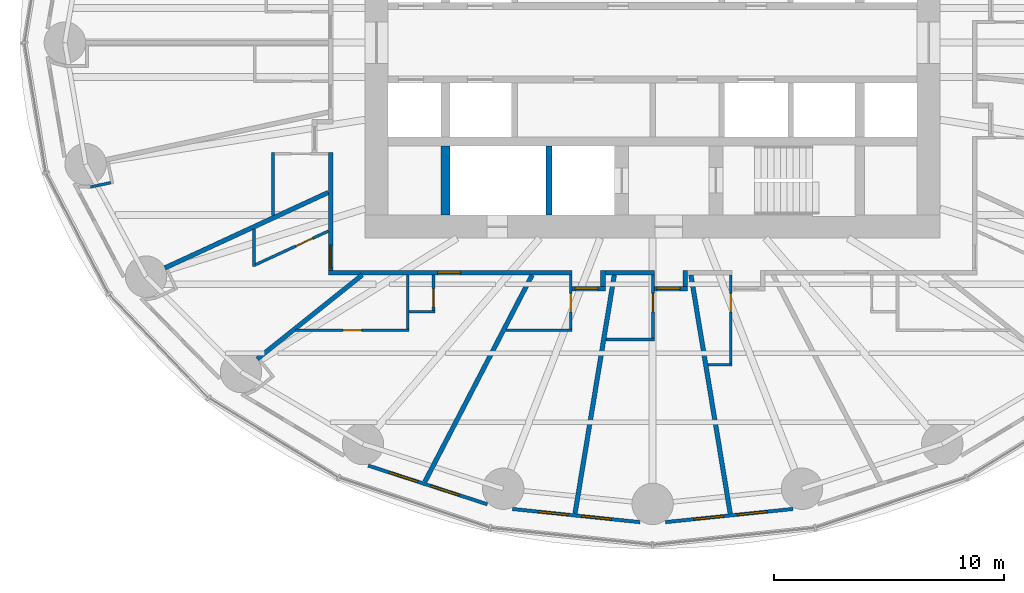
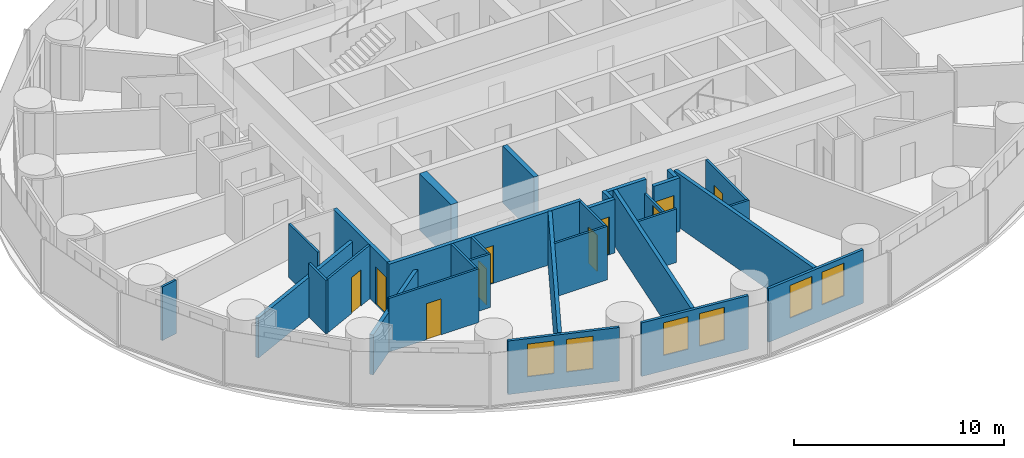
# One storey, part 6 of 14: 31 walls, 10 doors, 6 windows, 16 openings.
"""IFC4 building model written with IfcOpenShell, lengths in metres."""

from ifc_helpers import new_model, si_unit, direction, frame, frame_2d, origin, place, context, subcontext, project, spatial, rectangle, extrude, material, layer, layer_set, type_object, element, fill, save


model = new_model("IFC4")

# Units and contexts
model_context = context("Model", 3, precision=1e-05, world=origin(), true_north=direction((0.0, 1.0)))
body_context = subcontext(model_context, "Body", "Model", "MODEL_VIEW")
ifc_project = project(units=[si_unit("LENGTHUNIT", "METRE"), si_unit("AREAUNIT", "SQUARE_METRE"), si_unit("VOLUMEUNIT", "CUBIC_METRE"), si_unit("PLANEANGLEUNIT", "RADIAN"), si_unit("MASSUNIT", "GRAM", prefix="KILO")], contexts=[model_context])

# Site, building, storey
site_placement = place(None, origin())
site = spatial("IfcSite", under=ifc_project, at=site_placement, CompositionType="ELEMENT")
building_placement = place(site_placement, origin())
building = spatial("IfcBuilding", under=site, at=building_placement, Name="Hankou Lantern Tower", CompositionType="ELEMENT")
storey_placement = place(building_placement, frame((0.0, 0.0, 32.699951171875)))
storey = spatial("IfcBuildingStorey", under=building, at=storey_placement, Name="L06", CompositionType="ELEMENT", Elevation=32.699951171875)

# Wall
ifc_material_1 = material(Name="Concrete C60", Category="concrete")
ifc_layer_1 = layer(ifc_material_1, 0.39990234375)
ifc_layer_set_1 = layer_set([ifc_layer_1], Name="Concrete C60")
wall_type_1 = type_object("IfcWallType", Name="CW4 CORE CROSS WALL 400", PredefinedType="SHEAR", material=ifc_layer_set_1)
wall_1_placement = place(storey_placement, frame((-9.0, -7.5, 0.0), z_axis=(0.0, 0.0, 1.0), x_axis=(0.0, 1.0, 0.0)))
element("IfcWall", 1, at=wall_1_placement, inside=storey, type_object=wall_type_1, Name="Core strip wall L06", PredefinedType="SHEAR", context=body_context, shape_type="SweptSolid", body=[
    extrude(rectangle(XDim=3.0, YDim=0.39990234375, at=frame_2d((1.5, 0.0))), origin(), (0.0, 0.0, 1.0), 3.300048828125),
])

# Wall, openings, windows
ifc_material_2 = material(Name="Aluminium spandrel panel on steel studs", Category="steel")
ifc_layer_2 = layer(ifc_material_2, 0.14990234375)
ifc_layer_set_2 = layer_set([ifc_layer_2], Name="Aluminium spandrel panel on steel studs")
wall_type_2 = type_object("IfcWallType", Name="EW1 INNER SKIN WALL 150", PredefinedType="ELEMENTEDWALL", material=ifc_layer_set_2)
wall_2_placement = place(storey_placement, frame((-12.3662109375, -18.384033203125, 0.0), z_axis=(0.0, 0.0, 1.0), x_axis=(0.951138486029, -0.308764603532, 0.0)))
wall_2 = element("IfcWall", 2, at=wall_2_placement, inside=storey, type_object=wall_type_2, Name="Inner skin R17-R18 L06", PredefinedType="ELEMENTEDWALL", context=body_context, shape_type="SweptSolid", body=[
    extrude(rectangle(XDim=5.444091796875, YDim=0.14990234375, at=frame_2d((2.72216796875, 0.0))), origin(), (0.0, 0.0, 1.0), 3.1201171875),
])
opening_1_placement = place(wall_2_placement, frame((0.959716796875, 0.0, 0.89990234375)))
opening_1 = element("IfcOpeningElement", 3, at=opening_1_placement, cuts=wall_2, Name="Opening W9", PredefinedType="OPENING", context=body_context, shape_type="SweptSolid", body=[
    extrude(rectangle(XDim=1.300048828125, YDim=1.89990234375, at=frame_2d((0.64990234375, 0.949951171875))), frame((0.0, 0.0849609375, 0.0), z_axis=(0.0, -1.0, 0.0), x_axis=(1.0, 0.0, 0.0)), (0.0, 0.0, 1.0), 0.169921875),
])
opening_2_placement = place(wall_2_placement, frame((2.85986328125, 0.0, 0.89990234375)))
opening_2 = element("IfcOpeningElement", 4, at=opening_2_placement, cuts=wall_2, Name="Opening W9", PredefinedType="OPENING", context=body_context, shape_type="SweptSolid", body=[
    extrude(rectangle(XDim=1.300048828125, YDim=1.89990234375, at=frame_2d((0.64990234375, 0.949951171875))), frame((0.0, 0.0849609375, 0.0), z_axis=(0.0, -1.0, 0.0), x_axis=(1.0, 0.0, 0.0)), (0.0, 0.0, 1.0), 0.169921875),
])
ifc_material_3 = material(Name="Aluminium framed double glazed window", Category="aluminium")
window_type = type_object("IfcWindowType", Name="W9 GUEST ROOM WINDOW 1300X1900", PartitioningType="DOUBLE_PANEL_VERTICAL", PredefinedType="WINDOW", material=ifc_material_3)
window_1_placement = place(opening_1_placement, origin())
window_1 = element("IfcWindow", 5, at=window_1_placement, inside=storey, type_object=window_type, Name="Window R17.1 L06", OverallHeight=1.89990234375, OverallWidth=1.300048828125, PartitioningType="SINGLE_PANEL", PredefinedType="WINDOW", context=body_context, shape_type="SweptSolid", body=[
    extrude(rectangle(XDim=1.300048828125, YDim=1.89990234375, at=frame_2d((0.64990234375, 0.949951171875))), frame((0.0, 0.030029296875, 0.0), z_axis=(0.0, -1.0, 0.0), x_axis=(1.0, 0.0, 0.0)), (0.0, 0.0, 1.0), 0.06005859375),
])
fill(opening_1, window_1)
window_2_placement = place(opening_2_placement, origin())
window_2 = element("IfcWindow", 6, at=window_2_placement, inside=storey, type_object=window_type, Name="Window R17.2 L06", OverallHeight=1.89990234375, OverallWidth=1.300048828125, PartitioningType="SINGLE_PANEL", PredefinedType="WINDOW", context=body_context, shape_type="SweptSolid", body=[
    extrude(rectangle(XDim=1.300048828125, YDim=1.89990234375, at=frame_2d((0.64990234375, 0.949951171875))), frame((0.0, 0.030029296875, 0.0), z_axis=(0.0, -1.0, 0.0), x_axis=(1.0, 0.0, 0.0)), (0.0, 0.0, 1.0), 0.06005859375),
])
fill(opening_2, window_2)

wall_3_placement = place(storey_placement, frame((-6.09765625, -20.27099609375, 0.0), z_axis=(0.0, 0.0, 1.0), x_axis=(0.994723735084, -0.102589915983, 0.0)))
wall_3 = element("IfcWall", 7, at=wall_3_placement, inside=storey, type_object=wall_type_2, Name="Inner skin R18-R19 L06", PredefinedType="ELEMENTEDWALL", context=body_context, shape_type="SweptSolid", body=[
    extrude(rectangle(XDim=5.575927734375, YDim=0.14990234375, at=frame_2d((2.7880859375, 0.0))), origin(), (0.0, 0.0, 1.0), 3.1201171875),
])
opening_3_placement = place(wall_3_placement, frame((1.128662109375, 0.0, 0.89990234375)))
opening_3 = element("IfcOpeningElement", 8, at=opening_3_placement, cuts=wall_3, Name="Opening W9", PredefinedType="OPENING", context=body_context, shape_type="SweptSolid", body=[
    extrude(rectangle(XDim=1.300048828125, YDim=1.89990234375, at=frame_2d((0.64990234375, 0.949951171875))), frame((0.0, 0.0849609375, 0.0), z_axis=(0.0, -1.0, 0.0), x_axis=(1.0, 0.0, 0.0)), (0.0, 0.0, 1.0), 0.169921875),
])
opening_4_placement = place(wall_3_placement, frame((3.02880859375, 0.0, 0.89990234375)))
opening_4 = element("IfcOpeningElement", 9, at=opening_4_placement, cuts=wall_3, Name="Opening W9", PredefinedType="OPENING", context=body_context, shape_type="SweptSolid", body=[
    extrude(rectangle(XDim=1.300048828125, YDim=1.89990234375, at=frame_2d((0.64990234375, 0.949951171875))), frame((0.0, 0.0849609375, 0.0), z_axis=(0.0, -1.0, 0.0), x_axis=(1.0, 0.0, 0.0)), (0.0, 0.0, 1.0), 0.169921875),
])
window_3_placement = place(opening_3_placement, origin())
window_3 = element("IfcWindow", 10, at=window_3_placement, inside=storey, type_object=window_type, Name="Window R18.1 L06", OverallHeight=1.89990234375, OverallWidth=1.300048828125, PartitioningType="SINGLE_PANEL", PredefinedType="WINDOW", context=body_context, shape_type="SweptSolid", body=[
    extrude(rectangle(XDim=1.300048828125, YDim=1.89990234375, at=frame_2d((0.64990234375, 0.949951171875))), frame((0.0, 0.030029296875, 0.0), z_axis=(0.0, -1.0, 0.0), x_axis=(1.0, 0.0, 0.0)), (0.0, 0.0, 1.0), 0.06005859375),
])
fill(opening_3, window_3)
window_4_placement = place(opening_4_placement, origin())
window_4 = element("IfcWindow", 11, at=window_4_placement, inside=storey, type_object=window_type, Name="Window R18.2 L06", OverallHeight=1.89990234375, OverallWidth=1.300048828125, PartitioningType="SINGLE_PANEL", PredefinedType="WINDOW", context=body_context, shape_type="SweptSolid", body=[
    extrude(rectangle(XDim=1.300048828125, YDim=1.89990234375, at=frame_2d((0.64990234375, 0.949951171875))), frame((0.0, 0.030029296875, 0.0), z_axis=(0.0, -1.0, 0.0), x_axis=(1.0, 0.0, 0.0)), (0.0, 0.0, 1.0), 0.06005859375),
])
fill(opening_4, window_4)

wall_4_placement = place(storey_placement, frame((0.55126953125, -20.843017578125, 0.0), z_axis=(0.0, 0.0, 1.0), x_axis=(0.994723735084, 0.102589915983, 0.0)))
wall_4 = element("IfcWall", 12, at=wall_4_placement, inside=storey, type_object=wall_type_2, Name="Inner skin R19-R20 L06", PredefinedType="ELEMENTEDWALL", context=body_context, shape_type="SweptSolid", body=[
    extrude(rectangle(XDim=5.575927734375, YDim=0.14990234375, at=frame_2d((2.7880859375, 0.0))), origin(), (0.0, 0.0, 1.0), 3.1201171875),
])
opening_5_placement = place(wall_4_placement, frame((1.246826171875, 0.0, 0.89990234375)))
opening_5 = element("IfcOpeningElement", 13, at=opening_5_placement, cuts=wall_4, Name="Opening W9", PredefinedType="OPENING", context=body_context, shape_type="SweptSolid", body=[
    extrude(rectangle(XDim=1.300048828125, YDim=1.89990234375, at=frame_2d((0.64990234375, 0.949951171875))), frame((0.0, 0.0849609375, 0.0), z_axis=(0.0, -1.0, 0.0), x_axis=(1.0, 0.0, 0.0)), (0.0, 0.0, 1.0), 0.169921875),
])
opening_6_placement = place(wall_4_placement, frame((3.146728515625, 0.0, 0.89990234375)))
opening_6 = element("IfcOpeningElement", 14, at=opening_6_placement, cuts=wall_4, Name="Opening W9", PredefinedType="OPENING", context=body_context, shape_type="SweptSolid", body=[
    extrude(rectangle(XDim=1.300048828125, YDim=1.89990234375, at=frame_2d((0.64990234375, 0.949951171875))), frame((0.0, 0.0849609375, 0.0), z_axis=(0.0, -1.0, 0.0), x_axis=(1.0, 0.0, 0.0)), (0.0, 0.0, 1.0), 0.169921875),
])
window_5_placement = place(opening_5_placement, origin())
window_5 = element("IfcWindow", 15, at=window_5_placement, inside=storey, type_object=window_type, Name="Window R19.1 L06", OverallHeight=1.89990234375, OverallWidth=1.300048828125, PartitioningType="SINGLE_PANEL", PredefinedType="WINDOW", context=body_context, shape_type="SweptSolid", body=[
    extrude(rectangle(XDim=1.300048828125, YDim=1.89990234375, at=frame_2d((0.64990234375, 0.949951171875))), frame((0.0, 0.030029296875, 0.0), z_axis=(0.0, -1.0, 0.0), x_axis=(1.0, 0.0, 0.0)), (0.0, 0.0, 1.0), 0.06005859375),
])
fill(opening_5, window_5)
window_6_placement = place(opening_6_placement, origin())
window_6 = element("IfcWindow", 16, at=window_6_placement, inside=storey, type_object=window_type, Name="Window R19.2 L06", OverallHeight=1.89990234375, OverallWidth=1.300048828125, PartitioningType="SINGLE_PANEL", PredefinedType="WINDOW", context=body_context, shape_type="SweptSolid", body=[
    extrude(rectangle(XDim=1.300048828125, YDim=1.89990234375, at=frame_2d((0.64990234375, 0.949951171875))), frame((0.0, 0.030029296875, 0.0), z_axis=(0.0, -1.0, 0.0), x_axis=(1.0, 0.0, 0.0)), (0.0, 0.0, 1.0), 0.06005859375),
])
fill(opening_6, window_6)

# Walls
ifc_material_4 = material(Name="Masonry lightweight concrete block", Category="masonry")
ifc_layer_3 = layer(ifc_material_4, 0.199951171875)
ifc_layer_set_3 = layer_set([ifc_layer_3], Name="Masonry lightweight concrete block")
wall_type_3 = type_object("IfcWallType", Name="IW1 GUEST ROOM PARTY WALL 200", PredefinedType="PARTITIONING", material=ifc_layer_set_3)
wall_5_placement = place(storey_placement, frame((-14.10009765625, -6.512451171875, 0.0), z_axis=(0.0, 0.0, 1.0), x_axis=(-0.907842433118, -0.41931147925, 0.0)))
element("IfcWall", 17, at=wall_5_placement, inside=storey, type_object=wall_type_3, Name="Party wall R15", PredefinedType="PARTITIONING", context=body_context, shape_type="SweptSolid", body=[
    extrude(rectangle(XDim=7.822998046875, YDim=0.199951171875, at=frame_2d((3.91162109375, 0.0))), origin(), (0.0, 0.0, 1.0), 2.320068359375),
])
wall_6_placement = place(storey_placement, frame((-12.625, -10.10009765625, 0.0), z_axis=(0.0, 0.0, 1.0), x_axis=(-0.780872884676, -0.624689953479, 0.0)))
element("IfcWall", 18, at=wall_6_placement, inside=storey, type_object=wall_type_3, Name="Party wall R16", PredefinedType="PARTITIONING", context=body_context, shape_type="SweptSolid", body=[
    extrude(rectangle(XDim=5.8447265625, YDim=0.199951171875, at=frame_2d((2.92236328125, 0.0))), origin(), (0.0, 0.0, 1.0), 2.320068359375),
])
wall_7_placement = place(storey_placement, frame((-5.238525390625, -10.10009765625, 0.0), z_axis=(0.0, 0.0, 1.0), x_axis=(-0.460422783389, -0.887699758103, 0.0)))
element("IfcWall", 19, at=wall_7_placement, inside=storey, type_object=wall_type_3, Name="Party wall R17-R18", PredefinedType="PARTITIONING", context=body_context, shape_type="SweptSolid", body=[
    extrude(rectangle(XDim=10.120361328125, YDim=0.199951171875, at=frame_2d((5.06005859375, 0.0))), origin(), (0.0, 0.0, 1.0), 3.1201171875),
])
for number, where, z_axis, x_axis, name in (
    (20, (-1.6650390625, -10.10009765625, 0.0), (0.0, 0.0, 1.0), (-0.162657606458, -0.986682574621, 0.0), "Party wall R18-R19"),
    (21, (1.6650390625, -10.10009765625, 0.0), (0.0, 0.0, 1.0), (0.162657606458, -0.986682574621, 0.0), "Party wall R19-R20"),
):
    element("IfcWall", number, at=place(storey_placement, frame(where, z_axis=z_axis, x_axis=x_axis)), inside=storey, type_object=wall_type_3, Name=name, PredefinedType="PARTITIONING", context=body_context, shape_type="SweptSolid", body=[
        extrude(rectangle(XDim=10.505126953125, YDim=0.199951171875, at=frame_2d((5.25244140625, 0.0))), origin(), (0.0, 0.0, 1.0), 3.1201171875),
    ])

# Wall, opening, door
ifc_material_5 = material(Name="Masonry lightweight concrete block", Category="masonry")
ifc_layer_4 = layer(ifc_material_5, 0.199951171875)
ifc_layer_set_4 = layer_set([ifc_layer_4], Name="Masonry lightweight concrete block")
wall_type_4 = type_object("IfcWallType", Name="IW2 CORRIDOR WALL 200", PredefinedType="PARTITIONING", material=ifc_layer_set_4)
wall_8_placement = place(storey_placement, frame((-2.05859375, -10.699951171875, 0.0), z_axis=(0.0, 0.0, 1.0), x_axis=(-1.0, 0.0, 0.0)))
wall_8 = element("IfcWall", 22, at=wall_8_placement, inside=storey, type_object=wall_type_4, Name="Corridor recess wall 0619 back", PredefinedType="PARTITIONING", context=body_context, shape_type="SweptSolid", body=[
    extrude(rectangle(XDim=1.43994140625, YDim=0.199951171875, at=frame_2d((0.719970703125, 0.0))), origin(), (0.0, 0.0, 1.0), 3.1201171875),
])
opening_7_placement = place(wall_8_placement, frame((0.320068359375, 0.0, 0.0)))
opening_7 = element("IfcOpeningElement", 23, at=opening_7_placement, cuts=wall_8, Name="Opening D1", PredefinedType="OPENING", context=body_context, shape_type="SweptSolid", body=[
    extrude(rectangle(XDim=1.0, YDim=2.199951171875, at=frame_2d((0.5, 1.10009765625))), frame((0.0, 0.10986328125, 0.0), z_axis=(0.0, -1.0, 0.0), x_axis=(1.0, 0.0, 0.0)), (0.0, 0.0, 1.0), 0.219970703125),
])
ifc_material_6 = material(Name="Steel door leaf", Category="steel")
door_type_1 = type_object("IfcDoorType", Name="D1 GUEST ROOM DOOR 1000X2200", OperationType="SINGLE_SWING_LEFT", PredefinedType="DOOR", material=ifc_material_6)
door_1_placement = place(opening_7_placement, origin())
door_1 = element("IfcDoor", 24, at=door_1_placement, inside=storey, type_object=door_type_1, Name="Guest room door 0619", OperationType="SINGLE_SWING_RIGHT", OverallHeight=2.199951171875, OverallWidth=1.0, PredefinedType="DOOR", context=body_context, shape_type="SweptSolid", body=[
    extrude(rectangle(XDim=1.0, YDim=2.199951171875, at=frame_2d((0.5, 1.10009765625))), frame((0.0, 0.02490234375, 0.0), z_axis=(0.0, -1.0, 0.0), x_axis=(1.0, 0.0, 0.0)), (0.0, 0.0, 1.0), 0.050048828125),
])
fill(opening_7, door_1)

# Wall
wall_9_placement = place(storey_placement, frame((-2.15869140625, -9.89990234375, 0.0), z_axis=(0.0, 0.0, 1.0), x_axis=(0.0, -1.0, 0.0)))
element("IfcWall", 25, at=wall_9_placement, inside=storey, type_object=wall_type_4, Name="Corridor recess wall 0619 side", PredefinedType="PARTITIONING", context=body_context, shape_type="SweptSolid", body=[
    extrude(rectangle(XDim=0.7001953125, YDim=0.199951171875, at=frame_2d((0.35009765625, 0.0))), origin(), (0.0, 0.0, 1.0), 3.1201171875),
])

# Wall, opening, door
wall_10_placement = place(storey_placement, frame((1.51513671875, -10.699951171875, 0.0), z_axis=(0.0, 0.0, 1.0), x_axis=(-1.0, 0.0, 0.0)))
wall_10 = element("IfcWall", 26, at=wall_10_placement, inside=storey, type_object=wall_type_4, Name="Corridor recess wall 0620 back", PredefinedType="PARTITIONING", context=body_context, shape_type="SweptSolid", body=[
    extrude(rectangle(XDim=1.440185546875, YDim=0.199951171875, at=frame_2d((0.72021484375, 0.0))), origin(), (0.0, 0.0, 1.0), 3.1201171875),
])
opening_8_placement = place(wall_10_placement, frame((0.320068359375, 0.0, 0.0)))
opening_8 = element("IfcOpeningElement", 27, at=opening_8_placement, cuts=wall_10, Name="Opening D1", PredefinedType="OPENING", context=body_context, shape_type="SweptSolid", body=[
    extrude(rectangle(XDim=1.0, YDim=2.199951171875, at=frame_2d((0.5, 1.10009765625))), frame((0.0, 0.10986328125, 0.0), z_axis=(0.0, -1.0, 0.0), x_axis=(1.0, 0.0, 0.0)), (0.0, 0.0, 1.0), 0.219970703125),
])
door_2_placement = place(opening_8_placement, origin())
door_2 = element("IfcDoor", 28, at=door_2_placement, inside=storey, type_object=door_type_1, Name="Guest room door 0620", OperationType="SINGLE_SWING_RIGHT", OverallHeight=2.199951171875, OverallWidth=1.0, PredefinedType="DOOR", context=body_context, shape_type="SweptSolid", body=[
    extrude(rectangle(XDim=1.0, YDim=2.199951171875, at=frame_2d((0.5, 1.10009765625))), frame((0.0, 0.02490234375, 0.0), z_axis=(0.0, -1.0, 0.0), x_axis=(1.0, 0.0, 0.0)), (0.0, 0.0, 1.0), 0.050048828125),
])
fill(opening_8, door_2)

# Wall
wall_11_placement = place(storey_placement, frame((1.4150390625, -9.89990234375, 0.0), z_axis=(0.0, 0.0, 1.0), x_axis=(0.0, -1.0, 0.0)))
element("IfcWall", 29, at=wall_11_placement, inside=storey, type_object=wall_type_4, Name="Corridor recess wall 0620 side", PredefinedType="PARTITIONING", context=body_context, shape_type="SweptSolid", body=[
    extrude(rectangle(XDim=0.7001953125, YDim=0.199951171875, at=frame_2d((0.35009765625, 0.0))), origin(), (0.0, 0.0, 1.0), 3.1201171875),
])

# Wall, opening, door
wall_12_placement = place(storey_placement, frame((-14.0, -4.7724609375, 0.0), z_axis=(0.0, 0.0, 1.0), x_axis=(0.0, -1.0, 0.0)))
wall_12 = element("IfcWall", 30, at=wall_12_placement, inside=storey, type_object=wall_type_4, Name="Corridor wall west", PredefinedType="PARTITIONING", context=body_context, shape_type="SweptSolid", body=[
    extrude(rectangle(XDim=5.12744140625, YDim=0.199951171875, at=frame_2d((2.563720703125, 0.0))), origin(), (0.0, 0.0, 1.0), 3.1201171875),
])
opening_9_placement = place(wall_12_placement, frame((4.02490234375, 0.0, 0.0)))
opening_9 = element("IfcOpeningElement", 31, at=opening_9_placement, cuts=wall_12, Name="Opening D1", PredefinedType="OPENING", context=body_context, shape_type="SweptSolid", body=[
    extrude(rectangle(XDim=1.0, YDim=2.199951171875, at=frame_2d((0.5, 1.10009765625))), frame((0.0, 0.10986328125, 0.0), z_axis=(0.0, -1.0, 0.0), x_axis=(1.0, 0.0, 0.0)), (0.0, 0.0, 1.0), 0.219970703125),
])
door_3_placement = place(opening_9_placement, origin())
door_3 = element("IfcDoor", 32, at=door_3_placement, inside=storey, type_object=door_type_1, Name="Guest room door 0617", OperationType="SINGLE_SWING_RIGHT", OverallHeight=2.199951171875, OverallWidth=1.0, PredefinedType="DOOR", context=body_context, shape_type="SweptSolid", body=[
    extrude(rectangle(XDim=1.0, YDim=2.199951171875, at=frame_2d((0.5, 1.10009765625))), frame((0.0, 0.02490234375, 0.0), z_axis=(0.0, -1.0, 0.0), x_axis=(1.0, 0.0, 0.0)), (0.0, 0.0, 1.0), 0.050048828125),
])
fill(opening_9, door_3)

# Wall
wall_13_placement = place(storey_placement, frame((0.074951171875, -10.0, 0.0), z_axis=(0.0, 0.0, 1.0), x_axis=(-1.0, 0.0, 0.0)))
element("IfcWall", 33, at=wall_13_placement, inside=storey, type_object=wall_type_4, Name="Corridor wall south", PredefinedType="PARTITIONING", context=body_context, shape_type="SweptSolid", body=[
    extrude(rectangle(XDim=2.133544921875, YDim=0.199951171875, at=frame_2d((1.06689453125, 0.0))), origin(), (0.0, 0.0, 1.0), 3.1201171875),
])

# Wall, opening, door
wall_14_placement = place(storey_placement, frame((-3.49853515625, -10.0, 0.0), z_axis=(0.0, 0.0, 1.0), x_axis=(-1.0, 0.0, 0.0)))
wall_14 = element("IfcWall", 34, at=wall_14_placement, inside=storey, type_object=wall_type_4, Name="Corridor wall south", PredefinedType="PARTITIONING", context=body_context, shape_type="SweptSolid", body=[
    extrude(rectangle(XDim=10.6015625, YDim=0.199951171875, at=frame_2d((5.30078125, 0.0))), origin(), (0.0, 0.0, 1.0), 3.1201171875),
])
opening_10_placement = place(wall_14_placement, frame((4.846435546875, 0.0, 0.0)))
opening_10 = element("IfcOpeningElement", 35, at=opening_10_placement, cuts=wall_14, Name="Opening D1", PredefinedType="OPENING", context=body_context, shape_type="SweptSolid", body=[
    extrude(rectangle(XDim=1.0, YDim=2.199951171875, at=frame_2d((0.5, 1.10009765625))), frame((0.0, 0.10986328125, 0.0), z_axis=(0.0, -1.0, 0.0), x_axis=(1.0, 0.0, 0.0)), (0.0, 0.0, 1.0), 0.219970703125),
])
door_4_placement = place(opening_10_placement, origin())
door_4 = element("IfcDoor", 36, at=door_4_placement, inside=storey, type_object=door_type_1, Name="Guest room door 0618", OperationType="SINGLE_SWING_RIGHT", OverallHeight=2.199951171875, OverallWidth=1.0, PredefinedType="DOOR", context=body_context, shape_type="SweptSolid", body=[
    extrude(rectangle(XDim=1.0, YDim=2.199951171875, at=frame_2d((0.5, 1.10009765625))), frame((0.0, 0.02490234375, 0.0), z_axis=(0.0, -1.0, 0.0), x_axis=(1.0, 0.0, 0.0)), (0.0, 0.0, 1.0), 0.050048828125),
])
fill(opening_10, door_4)

# Walls
ifc_material_7 = material(Name="Masonry lightweight concrete block", Category="masonry")
ifc_layer_5 = layer(ifc_material_7, 0.1201171875)
ifc_layer_set_5 = layer_set([ifc_layer_5], Name="Masonry lightweight concrete block")
wall_type_5 = type_object("IfcWallType", Name="IW3 BATHROOM WALL 120", PredefinedType="PARTITIONING", material=ifc_layer_set_5)
wall_15_placement = place(storey_placement, frame((-16.5, -7.52099609375, 0.0), z_axis=(0.0, 0.0, 1.0), x_axis=(0.0, 1.0, 0.0)))
element("IfcWall", 37, at=wall_15_placement, inside=storey, type_object=wall_type_5, Name="Box wall 0616 1", PredefinedType="PARTITIONING", context=body_context, shape_type="SweptSolid", body=[
    extrude(rectangle(XDim=2.74853515625, YDim=0.1201171875, at=frame_2d((1.374267578125, 0.0))), origin(), (0.0, 0.0, 1.0), 3.1201171875),
])
wall_16_placement = place(storey_placement, frame((-17.32275390625, -8.10107421875, 0.0), z_axis=(0.0, 0.0, 1.0), x_axis=(0.0, -1.0, 0.0)))
element("IfcWall", 38, at=wall_16_placement, inside=storey, type_object=wall_type_5, Name="Box wall 0617 1", PredefinedType="PARTITIONING", context=body_context, shape_type="SweptSolid", body=[
    extrude(rectangle(XDim=1.639892578125, YDim=0.1201171875, at=frame_2d((0.81982421875, 0.0))), origin(), (0.0, 0.0, 1.0), 3.1201171875),
])

# Wall, opening, door
wall_17_placement = place(storey_placement, frame((-14.10009765625, -8.192626953125, 0.0), z_axis=(0.0, 0.0, 1.0), x_axis=(-0.907836493557, -0.419324338628, 0.0)))
wall_17 = element("IfcWall", 39, at=wall_17_placement, inside=storey, type_object=wall_type_5, Name="Box wall 0617 1", PredefinedType="PARTITIONING", context=body_context, shape_type="SweptSolid", body=[
    extrude(rectangle(XDim=3.48974609375, YDim=0.1201171875, at=frame_2d((1.744873046875, 0.0))), origin(), (0.0, 0.0, 1.0), 3.1201171875),
])
opening_11_placement = place(wall_17_placement, frame((0.75, 0.0, 0.0)))
opening_11 = element("IfcOpeningElement", 40, at=opening_11_placement, cuts=wall_17, Name="Opening D3", PredefinedType="OPENING", context=body_context, shape_type="SweptSolid", body=[
    extrude(rectangle(XDim=0.800048828125, YDim=2.10009765625, at=frame_2d((0.39990234375, 1.050048828125))), frame((0.0, 0.070068359375, 0.0), z_axis=(0.0, -1.0, 0.0), x_axis=(1.0, 0.0, 0.0)), (0.0, 0.0, 1.0), 0.14013671875),
])
ifc_material_8 = material(Name="Timber door leaf", Category="wood")
door_type_2 = type_object("IfcDoorType", Name="D3 BATHROOM DOOR 800X2100", OperationType="SINGLE_SWING_LEFT", PredefinedType="DOOR", material=ifc_material_8)
door_5_placement = place(opening_11_placement, origin())
door_5 = element("IfcDoor", 41, at=door_5_placement, inside=storey, type_object=door_type_2, Name="En-suite bathroom 0617 door", OperationType="SINGLE_SWING_LEFT", OverallHeight=2.10009765625, OverallWidth=0.800048828125, PredefinedType="DOOR", context=body_context, shape_type="SweptSolid", body=[
    extrude(rectangle(XDim=0.800048828125, YDim=2.10009765625, at=frame_2d((0.39990234375, 1.050048828125))), frame((0.0, 0.02490234375, 0.0), z_axis=(0.0, -1.0, 0.0), x_axis=(1.0, 0.0, 0.0)), (0.0, 0.0, 1.0), 0.050048828125),
])
fill(opening_11, door_5)

wall_18_placement = place(storey_placement, frame((-15.52490234375, -12.5, 0.0), z_axis=(0.0, 0.0, 1.0), x_axis=(1.0, 0.0, 0.0)))
wall_18 = element("IfcWall", 42, at=wall_18_placement, inside=storey, type_object=wall_type_5, Name="Box wall 0618 1", PredefinedType="PARTITIONING", context=body_context, shape_type="SweptSolid", body=[
    extrude(rectangle(XDim=4.93994140625, YDim=0.1201171875, at=frame_2d((2.469970703125, 0.0))), origin(), (0.0, 0.0, 1.0), 3.1201171875),
])
opening_12_placement = place(wall_18_placement, frame((2.070068359375, 0.0, 0.0)))
opening_12 = element("IfcOpeningElement", 43, at=opening_12_placement, cuts=wall_18, Name="Opening D3", PredefinedType="OPENING", context=body_context, shape_type="SweptSolid", body=[
    extrude(rectangle(XDim=0.800048828125, YDim=2.10009765625, at=frame_2d((0.39990234375, 1.050048828125))), frame((0.0, 0.070068359375, 0.0), z_axis=(0.0, -1.0, 0.0), x_axis=(1.0, 0.0, 0.0)), (0.0, 0.0, 1.0), 0.14013671875),
])
door_6_placement = place(opening_12_placement, origin())
door_6 = element("IfcDoor", 44, at=door_6_placement, inside=storey, type_object=door_type_2, Name="En-suite bathroom 0618 door", OperationType="SINGLE_SWING_RIGHT", OverallHeight=2.10009765625, OverallWidth=0.800048828125, PredefinedType="DOOR", context=body_context, shape_type="SweptSolid", body=[
    extrude(rectangle(XDim=0.800048828125, YDim=2.10009765625, at=frame_2d((0.39990234375, 1.050048828125))), frame((0.0, 0.02490234375, 0.0), z_axis=(0.0, -1.0, 0.0), x_axis=(1.0, 0.0, 0.0)), (0.0, 0.0, 1.0), 0.050048828125),
])
fill(opening_12, door_6)

# Walls
wall_19_placement = place(storey_placement, frame((-10.64501953125, -10.10009765625, 0.0), z_axis=(0.0, 0.0, 1.0), x_axis=(0.0, -1.0, 0.0)))
element("IfcWall", 45, at=wall_19_placement, inside=storey, type_object=wall_type_5, Name="Box wall 0618 1", PredefinedType="PARTITIONING", context=body_context, shape_type="SweptSolid", body=[
    extrude(rectangle(XDim=2.33984375, YDim=0.1201171875, at=frame_2d((1.169921875, 0.0))), origin(), (0.0, 0.0, 1.0), 3.1201171875),
])
wall_20_placement = place(storey_placement, frame((-10.5849609375, -11.699951171875, 0.0), z_axis=(0.0, 0.0, 1.0), x_axis=(1.0, 0.0, 0.0)))
element("IfcWall", 46, at=wall_20_placement, inside=storey, type_object=wall_type_5, Name="Box wall 0618 2", PredefinedType="PARTITIONING", context=body_context, shape_type="SweptSolid", body=[
    extrude(rectangle(XDim=1.119873046875, YDim=0.1201171875, at=frame_2d((0.56005859375, 0.0))), origin(), (0.0, 0.0, 1.0), 3.1201171875),
])

# Wall, opening, door
wall_21_placement = place(storey_placement, frame((-9.52490234375, -10.10009765625, 0.0), z_axis=(0.0, 0.0, 1.0), x_axis=(0.0, -1.0, 0.0)))
wall_21 = element("IfcWall", 47, at=wall_21_placement, inside=storey, type_object=wall_type_5, Name="Box wall 0618 2", PredefinedType="PARTITIONING", context=body_context, shape_type="SweptSolid", body=[
    extrude(rectangle(XDim=1.539794921875, YDim=0.1201171875, at=frame_2d((0.77001953125, 0.0))), origin(), (0.0, 0.0, 1.0), 3.1201171875),
])
opening_13_placement = place(wall_21_placement, frame((0.590087890625, 0.0, 0.0)))
opening_13 = element("IfcOpeningElement", 48, at=opening_13_placement, cuts=wall_21, Name="Opening D3", PredefinedType="OPENING", context=body_context, shape_type="SweptSolid", body=[
    extrude(rectangle(XDim=0.800048828125, YDim=2.10009765625, at=frame_2d((0.39990234375, 1.050048828125))), frame((0.0, 0.070068359375, 0.0), z_axis=(0.0, -1.0, 0.0), x_axis=(1.0, 0.0, 0.0)), (0.0, 0.0, 1.0), 0.14013671875),
])
door_7_placement = place(opening_13_placement, origin())
door_7 = element("IfcDoor", 49, at=door_7_placement, inside=storey, type_object=door_type_2, Name="En-suite WC 0618 door", OperationType="SINGLE_SWING_LEFT", OverallHeight=2.10009765625, OverallWidth=0.800048828125, PredefinedType="DOOR", context=body_context, shape_type="SweptSolid", body=[
    extrude(rectangle(XDim=0.800048828125, YDim=2.10009765625, at=frame_2d((0.39990234375, 1.050048828125))), frame((0.0, 0.02490234375, 0.0), z_axis=(0.0, -1.0, 0.0), x_axis=(1.0, 0.0, 0.0)), (0.0, 0.0, 1.0), 0.050048828125),
])
fill(opening_13, door_7)

# Wall
wall_22_placement = place(storey_placement, frame((-6.38330078125, -12.5, 0.0), z_axis=(0.0, 0.0, 1.0), x_axis=(1.0, 0.0, 0.0)))
element("IfcWall", 50, at=wall_22_placement, inside=storey, type_object=wall_type_5, Name="Box wall 0619 1", PredefinedType="PARTITIONING", context=body_context, shape_type="SweptSolid", body=[
    extrude(rectangle(XDim=2.884765625, YDim=0.1201171875, at=frame_2d((1.4423828125, 0.0))), origin(), (0.0, 0.0, 1.0), 3.1201171875),
])

# Wall, opening, door
wall_23_placement = place(storey_placement, frame((-3.55859375, -10.10009765625, 0.0), z_axis=(0.0, 0.0, 1.0), x_axis=(0.0, -1.0, 0.0)))
wall_23 = element("IfcWall", 51, at=wall_23_placement, inside=storey, type_object=wall_type_5, Name="Box wall 0619 1", PredefinedType="PARTITIONING", context=body_context, shape_type="SweptSolid", body=[
    extrude(rectangle(XDim=2.33984375, YDim=0.1201171875, at=frame_2d((1.169921875, 0.0))), origin(), (0.0, 0.0, 1.0), 3.1201171875),
])
opening_14_placement = place(wall_23_placement, frame((0.800048828125, 0.0, 0.0)))
opening_14 = element("IfcOpeningElement", 52, at=opening_14_placement, cuts=wall_23, Name="Opening D3", PredefinedType="OPENING", context=body_context, shape_type="SweptSolid", body=[
    extrude(rectangle(XDim=0.800048828125, YDim=2.10009765625, at=frame_2d((0.39990234375, 1.050048828125))), frame((0.0, 0.070068359375, 0.0), z_axis=(0.0, -1.0, 0.0), x_axis=(1.0, 0.0, 0.0)), (0.0, 0.0, 1.0), 0.14013671875),
])
door_8_placement = place(opening_14_placement, origin())
door_8 = element("IfcDoor", 53, at=door_8_placement, inside=storey, type_object=door_type_2, Name="En-suite bathroom 0619 door", OperationType="SINGLE_SWING_LEFT", OverallHeight=2.10009765625, OverallWidth=0.800048828125, PredefinedType="DOOR", context=body_context, shape_type="SweptSolid", body=[
    extrude(rectangle(XDim=0.800048828125, YDim=2.10009765625, at=frame_2d((0.39990234375, 1.050048828125))), frame((0.0, 0.02490234375, 0.0), z_axis=(0.0, -1.0, 0.0), x_axis=(1.0, 0.0, 0.0)), (0.0, 0.0, 1.0), 0.050048828125),
])
fill(opening_14, door_8)

# Wall
wall_24_placement = place(storey_placement, frame((-2.026611328125, -12.89990234375, 0.0), z_axis=(0.0, 0.0, 1.0), x_axis=(1.0, 0.0, 0.0)))
element("IfcWall", 54, at=wall_24_placement, inside=storey, type_object=wall_type_5, Name="Box wall 0620 1", PredefinedType="PARTITIONING", context=body_context, shape_type="SweptSolid", body=[
    extrude(rectangle(XDim=2.1015625, YDim=0.1201171875, at=frame_2d((1.05078125, 0.0))), origin(), (0.0, 0.0, 1.0), 3.1201171875),
])

# Wall, opening, door
wall_25_placement = place(storey_placement, frame((0.01513671875, -10.10009765625, 0.0), z_axis=(0.0, 0.0, 1.0), x_axis=(0.0, -1.0, 0.0)))
wall_25 = element("IfcWall", 55, at=wall_25_placement, inside=storey, type_object=wall_type_5, Name="Box wall 0620 1", PredefinedType="PARTITIONING", context=body_context, shape_type="SweptSolid", body=[
    extrude(rectangle(XDim=2.739990234375, YDim=0.1201171875, at=frame_2d((1.3701171875, 0.0))), origin(), (0.0, 0.0, 1.0), 2.320068359375),
])
opening_15_placement = place(wall_25_placement, frame((0.800048828125, 0.0, 0.0)))
opening_15 = element("IfcOpeningElement", 56, at=opening_15_placement, cuts=wall_25, Name="Opening D3", PredefinedType="OPENING", context=body_context, shape_type="SweptSolid", body=[
    extrude(rectangle(XDim=0.800048828125, YDim=2.10009765625, at=frame_2d((0.39990234375, 1.050048828125))), frame((0.0, 0.070068359375, 0.0), z_axis=(0.0, -1.0, 0.0), x_axis=(1.0, 0.0, 0.0)), (0.0, 0.0, 1.0), 0.14013671875),
])
door_9_placement = place(opening_15_placement, origin())
door_9 = element("IfcDoor", 57, at=door_9_placement, inside=storey, type_object=door_type_2, Name="En-suite bathroom 0620 door", OperationType="SINGLE_SWING_LEFT", OverallHeight=2.10009765625, OverallWidth=0.800048828125, PredefinedType="DOOR", context=body_context, shape_type="SweptSolid", body=[
    extrude(rectangle(XDim=0.800048828125, YDim=2.10009765625, at=frame_2d((0.39990234375, 1.050048828125))), frame((0.0, 0.02490234375, 0.0), z_axis=(0.0, -1.0, 0.0), x_axis=(1.0, 0.0, 0.0)), (0.0, 0.0, 1.0), 0.050048828125),
])
fill(opening_15, door_9)

# Wall
wall_26_placement = place(storey_placement, frame((2.407958984375, -14.0, 0.0), z_axis=(0.0, 0.0, 1.0), x_axis=(1.0, 0.0, 0.0)))
element("IfcWall", 58, at=wall_26_placement, inside=storey, type_object=wall_type_5, Name="Box wall 0621 1", PredefinedType="PARTITIONING", context=body_context, shape_type="SweptSolid", body=[
    extrude(rectangle(XDim=1.047119140625, YDim=0.1201171875, at=frame_2d((0.5234375, 0.0))), origin(), (0.0, 0.0, 1.0), 3.1201171875),
])

# Wall, opening, door
wall_27_placement = place(storey_placement, frame((3.39501953125, -10.10009765625, 0.0), z_axis=(0.0, 0.0, 1.0), x_axis=(0.0, -1.0, 0.0)))
wall_27 = element("IfcWall", 59, at=wall_27_placement, inside=storey, type_object=wall_type_5, Name="Box wall 0621 1", PredefinedType="PARTITIONING", context=body_context, shape_type="SweptSolid", body=[
    extrude(rectangle(XDim=3.83984375, YDim=0.1201171875, at=frame_2d((1.919921875, 0.0))), origin(), (0.0, 0.0, 1.0), 3.1201171875),
])
opening_16_placement = place(wall_27_placement, frame((0.800048828125, 0.0, 0.0)))
opening_16 = element("IfcOpeningElement", 60, at=opening_16_placement, cuts=wall_27, Name="Opening D3", PredefinedType="OPENING", context=body_context, shape_type="SweptSolid", body=[
    extrude(rectangle(XDim=0.800048828125, YDim=2.10009765625, at=frame_2d((0.39990234375, 1.050048828125))), frame((0.0, 0.070068359375, 0.0), z_axis=(0.0, -1.0, 0.0), x_axis=(1.0, 0.0, 0.0)), (0.0, 0.0, 1.0), 0.14013671875),
])
door_10_placement = place(opening_16_placement, origin())
door_10 = element("IfcDoor", 61, at=door_10_placement, inside=storey, type_object=door_type_2, Name="En-suite bathroom 0621 door", OperationType="SINGLE_SWING_LEFT", OverallHeight=2.10009765625, OverallWidth=0.800048828125, PredefinedType="DOOR", context=body_context, shape_type="SweptSolid", body=[
    extrude(rectangle(XDim=0.800048828125, YDim=2.10009765625, at=frame_2d((0.39990234375, 1.050048828125))), frame((0.0, 0.02490234375, 0.0), z_axis=(0.0, -1.0, 0.0), x_axis=(1.0, 0.0, 0.0)), (0.0, 0.0, 1.0), 0.050048828125),
])
fill(opening_16, door_10)

# Walls
ifc_material_9 = material(Name="Masonry lightweight concrete block", Category="masonry")
ifc_layer_6 = layer(ifc_material_9, 0.1201171875)
ifc_layer_set_6 = layer_set([ifc_layer_6], Name="Masonry lightweight concrete block")
wall_type_6 = type_object("IfcWallType", Name="IW4 PARTITION 120", PredefinedType="PARTITIONING", material=ifc_layer_set_6)
wall_28_placement = place(storey_placement, frame((-23.554443359375, -6.086669921875, 0.0), z_axis=(0.0, 0.0, 1.0), x_axis=(-0.977762694187, -0.209714362543, 0.0)))
element("IfcWall", 62, at=wall_28_placement, inside=storey, type_object=wall_type_6, Name="Column casing R14", PredefinedType="PARTITIONING", context=body_context, shape_type="SweptSolid", body=[
    extrude(rectangle(XDim=0.89990234375, YDim=0.1201171875, at=frame_2d((0.449951171875, 0.0))), origin(), (0.0, 0.0, 1.0), 3.1201171875),
])
ifc_material_10 = material(Name="Masonry autoclaved aerated concrete block", Category="masonry")
ifc_layer_7 = layer(ifc_material_10, 0.25)
ifc_layer_set_7 = layer_set([ifc_layer_7], Name="Masonry autoclaved aerated concrete block")
wall_type_7 = type_object("IfcWallType", Name="SW1 SHAFT BLOCK WALL 250", PredefinedType="PARTITIONING", material=ifc_layer_set_7)
wall_29_placement = place(storey_placement, frame((-4.5, -7.5, 0.0), z_axis=(0.0, 0.0, 1.0), x_axis=(0.0, 1.0, 0.0)))
element("IfcWall", 63, at=wall_29_placement, inside=storey, type_object=wall_type_7, Name="Riser wall L06", PredefinedType="PARTITIONING", context=body_context, shape_type="SweptSolid", body=[
    extrude(rectangle(XDim=3.0, YDim=0.25, at=frame_2d((1.5, 0.0))), origin(), (0.0, 0.0, 1.0), 3.300048828125),
])

save(model, "model.ifc")
